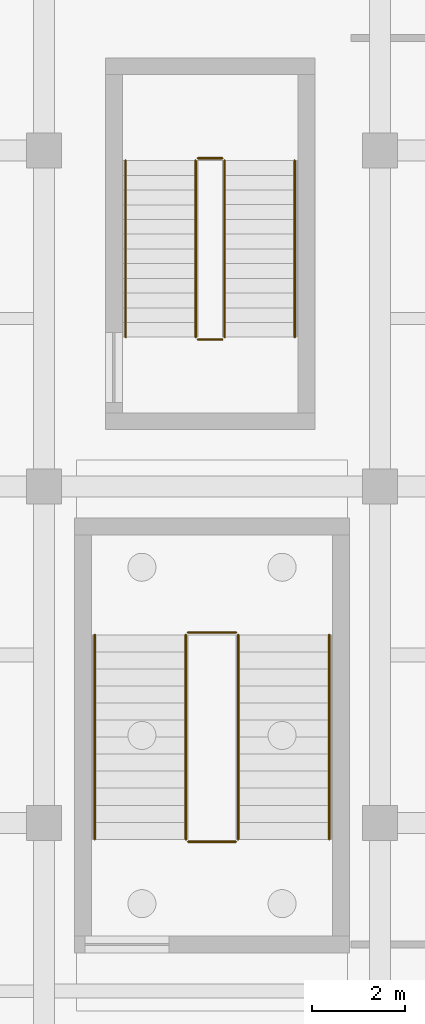
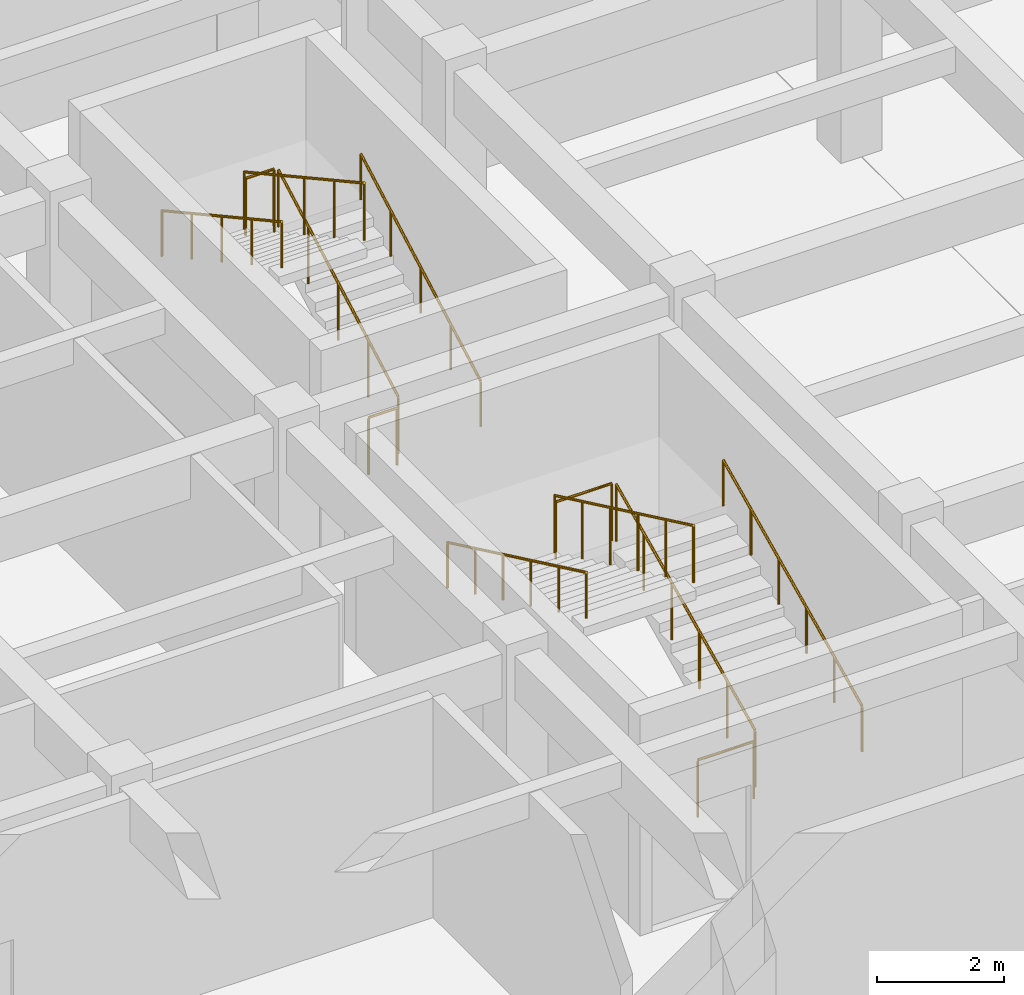
# One storey, part 26 of 28: 12 railings.
"""IFC4 building model written with IfcOpenShell, lengths in metres."""

from ifc_helpers import new_model, si_unit, direction, frame, origin, origin_2d, place, context, subcontext, project, spatial, circle, extrude, material, type_object, element, save


model = new_model("IFC4")

# Units and contexts
model_context = context("Model", 3, precision=1e-05, world=origin(), true_north=direction((0.0, 1.0)))
body_context = subcontext(model_context, "Body", "Model", "MODEL_VIEW")
ifc_project = project(units=[si_unit("LENGTHUNIT", "METRE"), si_unit("AREAUNIT", "SQUARE_METRE"), si_unit("VOLUMEUNIT", "CUBIC_METRE"), si_unit("PLANEANGLEUNIT", "RADIAN"), si_unit("MASSUNIT", "GRAM", prefix="KILO")], contexts=[model_context])

# Site, building, storey
site_placement = place(None, origin())
site = spatial("IfcSite", under=ifc_project, at=site_placement, CompositionType="ELEMENT")
building_placement = place(site_placement, origin())
building = spatial("IfcBuilding", under=site, at=building_placement, Name="Alvorim Cloister Faculty of Sciences", CompositionType="ELEMENT")
storey_placement = place(building_placement, frame((0.0, 0.0, -4.5)))
storey = spatial("IfcBuildingStorey", under=building, at=storey_placement, Name="B01", CompositionType="ELEMENT", Elevation=-4.5)

# Railings
ifc_material_1 = material(Name="Galvanised Painted Steel", Category="steel")
railing_type_1 = type_object("IfcRailingType", Name="RL-STR-GUARD", PredefinedType="GUARDRAIL", material=ifc_material_1)
railing_1_placement = place(storey_placement, frame((104.669921875, 17.60009765625, 0.173095703125)))
element("IfcRailing", 1, at=railing_1_placement, inside=storey, type_object=railing_type_1, Name="B01 ST-06 stair guard 1", PredefinedType="GUARDRAIL", context=body_context, shape_type="SweptSolid", body=[
    extrude(circle(Radius=0.02392578125, at=origin_2d()), frame((0.0, 0.0, 1.09619140625), z_axis=(0.0, 0.876409457848, 0.481566674713), x_axis=(-1.0, 0.0, 0.0)), (0.0, 0.0, 1.0), 4.312744140625),
    extrude(circle(Radius=0.02099609375, at=origin_2d()), origin(), (0.0, 0.0, 1.0), 1.072021484375),
    extrude(circle(Radius=0.02099609375, at=origin_2d()), frame((0.0, 0.94482421875, 0.519287109375)), (0.0, 0.0, 1.0), 1.072021484375),
    extrude(circle(Radius=0.02099609375, at=origin_2d()), frame((0.0, 1.889892578125, 1.03857421875)), (0.0, 0.0, 1.0), 1.072021484375),
    extrude(circle(Radius=0.02099609375, at=origin_2d()), frame((0.0, 2.8349609375, 1.5576171875)), (0.0, 0.0, 1.0), 1.072021484375),
    extrude(circle(Radius=0.02099609375, at=origin_2d()), frame((0.0, 3.77978515625, 2.076904296875)), (0.0, 0.0, 1.0), 1.072021484375),
])
railing_2_placement = place(storey_placement, frame((104.6201171875, 21.429931640625, 2.25)))
element("IfcRailing", 2, at=railing_2_placement, inside=storey, type_object=railing_type_1, Name="B01 ST-06 stair guard 2", PredefinedType="GUARDRAIL", context=body_context, shape_type="SweptSolid", body=[
    extrude(circle(Radius=0.02392578125, at=origin_2d()), frame((0.0, 0.0, 1.09619140625), z_axis=(-1.0, 0.0, 0.0), x_axis=(0.0, -1.0, 0.0)), (0.0, 0.0, 1.0), 0.52001953125),
    extrude(circle(Radius=0.02099609375, at=origin_2d()), origin(), (0.0, 0.0, 1.0), 1.072021484375),
    extrude(circle(Radius=0.02099609375, at=origin_2d()), frame((-0.52001953125, 0.0, 0.0)), (0.0, 0.0, 1.0), 1.072021484375),
])
railing_3_placement = place(storey_placement, frame((104.050048828125, 21.3798828125, 2.423095703125)))
element("IfcRailing", 3, at=railing_3_placement, inside=storey, type_object=railing_type_1, Name="B01 ST-06 stair guard 3", PredefinedType="GUARDRAIL", context=body_context, shape_type="SweptSolid", body=[
    extrude(circle(Radius=0.02392578125, at=origin_2d()), frame((0.0, 0.0, 1.09619140625), z_axis=(0.0, -0.876409457848, 0.481566674713), x_axis=(1.0, 0.0, 0.0)), (0.0, 0.0, 1.0), 4.312744140625),
    extrude(circle(Radius=0.02099609375, at=origin_2d()), origin(), (0.0, 0.0, 1.0), 1.072021484375),
    extrude(circle(Radius=0.02099609375, at=origin_2d()), frame((0.0, -0.94482421875, 0.519287109375)), (0.0, 0.0, 1.0), 1.072021484375),
    extrude(circle(Radius=0.02099609375, at=origin_2d()), frame((0.0, -1.889892578125, 1.03857421875)), (0.0, 0.0, 1.0), 1.072021484375),
    extrude(circle(Radius=0.02099609375, at=origin_2d()), frame((0.0, -2.8349609375, 1.5576171875)), (0.0, 0.0, 1.0), 1.072021484375),
    extrude(circle(Radius=0.02099609375, at=origin_2d()), frame((0.0, -3.77978515625, 2.076904296875)), (0.0, 0.0, 1.0), 1.072021484375),
])
railing_4_placement = place(storey_placement, frame((104.6201171875, 17.550048828125, 0.0)))
element("IfcRailing", 4, at=railing_4_placement, inside=storey, type_object=railing_type_1, Name="B01 ST-06 stair guard 4", PredefinedType="GUARDRAIL", context=body_context, shape_type="SweptSolid", body=[
    extrude(circle(Radius=0.02392578125, at=origin_2d()), frame((0.0, 0.0, 1.09619140625), z_axis=(-1.0, 0.0, 0.0), x_axis=(0.0, -1.0, 0.0)), (0.0, 0.0, 1.0), 0.52001953125),
    extrude(circle(Radius=0.02099609375, at=origin_2d()), origin(), (0.0, 0.0, 1.0), 1.072021484375),
    extrude(circle(Radius=0.02099609375, at=origin_2d()), frame((-0.52001953125, 0.0, 0.0)), (0.0, 0.0, 1.0), 1.072021484375),
])
railing_5_placement = place(storey_placement, frame((104.9599609375, 6.85009765625, 0.173095703125)))
element("IfcRailing", 5, at=railing_5_placement, inside=storey, type_object=railing_type_1, Name="B01 ST-12 stair guard 1", PredefinedType="GUARDRAIL", context=body_context, shape_type="SweptSolid", body=[
    extrude(circle(Radius=0.02392578125, at=origin_2d()), frame((0.0, 0.0, 1.09619140625), z_axis=(0.0, 0.903560341894, 0.428460860005), x_axis=(-1.0, 0.0, 0.0)), (0.0, 0.0, 1.0), 4.847412109375),
    extrude(circle(Radius=0.02099609375, at=origin_2d()), origin(), (0.0, 0.0, 1.0), 1.072021484375),
    extrude(circle(Radius=0.02099609375, at=origin_2d()), frame((0.0, 0.8759765625, 0.415283203125)), (0.0, 0.0, 1.0), 1.072021484375),
    extrude(circle(Radius=0.02099609375, at=origin_2d()), frame((0.0, 1.751953125, 0.830810546875)), (0.0, 0.0, 1.0), 1.072021484375),
    extrude(circle(Radius=0.02099609375, at=origin_2d()), frame((0.0, 2.6279296875, 1.24609375)), (0.0, 0.0, 1.0), 1.072021484375),
    extrude(circle(Radius=0.02099609375, at=origin_2d()), frame((0.0, 3.50390625, 1.66162109375)), (0.0, 0.0, 1.0), 1.072021484375),
    extrude(circle(Radius=0.02099609375, at=origin_2d()), frame((0.0, 4.3798828125, 2.076904296875)), (0.0, 0.0, 1.0), 1.072021484375),
])
railing_6_placement = place(storey_placement, frame((104.909912109375, 11.280029296875, 2.25)))
element("IfcRailing", 6, at=railing_6_placement, inside=storey, type_object=railing_type_1, Name="B01 ST-12 stair guard 2", PredefinedType="GUARDRAIL", context=body_context, shape_type="SweptSolid", body=[
    extrude(circle(Radius=0.02392578125, at=origin_2d()), frame((0.0, 0.0, 1.09619140625), z_axis=(-1.0, 0.0, 0.0), x_axis=(0.0, -1.0, 0.0)), (0.0, 0.0, 1.0), 1.02001953125),
    extrude(circle(Radius=0.02099609375, at=origin_2d()), origin(), (0.0, 0.0, 1.0), 1.072021484375),
    extrude(circle(Radius=0.02099609375, at=origin_2d()), frame((-1.02001953125, 0.0, 0.0)), (0.0, 0.0, 1.0), 1.072021484375),
])
railing_7_placement = place(storey_placement, frame((103.840087890625, 11.22998046875, 2.423095703125)))
element("IfcRailing", 7, at=railing_7_placement, inside=storey, type_object=railing_type_1, Name="B01 ST-12 stair guard 3", PredefinedType="GUARDRAIL", context=body_context, shape_type="SweptSolid", body=[
    extrude(circle(Radius=0.02392578125, at=origin_2d()), frame((0.0, 0.0, 1.09619140625), z_axis=(0.0, -0.903560341894, 0.428460860005), x_axis=(1.0, 0.0, 0.0)), (0.0, 0.0, 1.0), 4.847412109375),
    extrude(circle(Radius=0.02099609375, at=origin_2d()), origin(), (0.0, 0.0, 1.0), 1.072021484375),
    extrude(circle(Radius=0.02099609375, at=origin_2d()), frame((0.0, -0.8759765625, 0.415283203125)), (0.0, 0.0, 1.0), 1.072021484375),
    extrude(circle(Radius=0.02099609375, at=origin_2d()), frame((0.0, -1.751953125, 0.830810546875)), (0.0, 0.0, 1.0), 1.072021484375),
    extrude(circle(Radius=0.02099609375, at=origin_2d()), frame((0.0, -2.6279296875, 1.24609375)), (0.0, 0.0, 1.0), 1.072021484375),
    extrude(circle(Radius=0.02099609375, at=origin_2d()), frame((0.0, -3.50390625, 1.66162109375)), (0.0, 0.0, 1.0), 1.072021484375),
    extrude(circle(Radius=0.02099609375, at=origin_2d()), frame((0.0, -4.3798828125, 2.076904296875)), (0.0, 0.0, 1.0), 1.072021484375),
])
railing_8_placement = place(storey_placement, frame((104.909912109375, 6.800048828125, 0.0)))
element("IfcRailing", 8, at=railing_8_placement, inside=storey, type_object=railing_type_1, Name="B01 ST-12 stair guard 4", PredefinedType="GUARDRAIL", context=body_context, shape_type="SweptSolid", body=[
    extrude(circle(Radius=0.02392578125, at=origin_2d()), frame((0.0, 0.0, 1.09619140625), z_axis=(-1.0, 0.0, 0.0), x_axis=(0.0, -1.0, 0.0)), (0.0, 0.0, 1.0), 1.02001953125),
    extrude(circle(Radius=0.02099609375, at=origin_2d()), origin(), (0.0, 0.0, 1.0), 1.072021484375),
    extrude(circle(Radius=0.02099609375, at=origin_2d()), frame((-1.02001953125, 0.0, 0.0)), (0.0, 0.0, 1.0), 1.072021484375),
])
ifc_material_2 = material(Name="Brushed Stainless Steel", Category="steel")
railing_type_2 = type_object("IfcRailingType", Name="RL-STR-HAND", PredefinedType="HANDRAIL", material=ifc_material_2)
railing_9_placement = place(storey_placement, frame((106.169921875, 17.60009765625, 0.173095703125)))
element("IfcRailing", 9, at=railing_9_placement, inside=storey, type_object=railing_type_2, Name="B01 ST-06 stair handrail 1", PredefinedType="HANDRAIL", context=body_context, shape_type="SweptSolid", body=[
    extrude(circle(Radius=0.02392578125, at=origin_2d()), frame((0.0, 0.0, 0.8759765625), z_axis=(0.0, 0.876409457848, 0.481566674713), x_axis=(-1.0, 0.0, 0.0)), (0.0, 0.0, 1.0), 4.312744140625),
    extrude(circle(Radius=0.02099609375, at=origin_2d()), origin(), (0.0, 0.0, 1.0), 0.851806640625),
    extrude(circle(Radius=0.02099609375, at=origin_2d()), frame((0.0, 0.94482421875, 0.519287109375)), (0.0, 0.0, 1.0), 0.851806640625),
    extrude(circle(Radius=0.02099609375, at=origin_2d()), frame((0.0, 1.889892578125, 1.03857421875)), (0.0, 0.0, 1.0), 0.851806640625),
    extrude(circle(Radius=0.02099609375, at=origin_2d()), frame((0.0, 2.8349609375, 1.5576171875)), (0.0, 0.0, 1.0), 0.851806640625),
    extrude(circle(Radius=0.02099609375, at=origin_2d()), frame((0.0, 3.77978515625, 2.076904296875)), (0.0, 0.0, 1.0), 0.851806640625),
])
railing_10_placement = place(storey_placement, frame((102.550048828125, 21.3798828125, 2.423095703125)))
element("IfcRailing", 10, at=railing_10_placement, inside=storey, type_object=railing_type_2, Name="B01 ST-06 stair handrail 2", PredefinedType="HANDRAIL", context=body_context, shape_type="SweptSolid", body=[
    extrude(circle(Radius=0.02392578125, at=origin_2d()), frame((0.0, 0.0, 0.8759765625), z_axis=(0.0, -0.876409457848, 0.481566674713), x_axis=(1.0, 0.0, 0.0)), (0.0, 0.0, 1.0), 4.312744140625),
    extrude(circle(Radius=0.02099609375, at=origin_2d()), origin(), (0.0, 0.0, 1.0), 0.851806640625),
    extrude(circle(Radius=0.02099609375, at=origin_2d()), frame((0.0, -0.94482421875, 0.519287109375)), (0.0, 0.0, 1.0), 0.851806640625),
    extrude(circle(Radius=0.02099609375, at=origin_2d()), frame((0.0, -1.889892578125, 1.03857421875)), (0.0, 0.0, 1.0), 0.851806640625),
    extrude(circle(Radius=0.02099609375, at=origin_2d()), frame((0.0, -2.8349609375, 1.5576171875)), (0.0, 0.0, 1.0), 0.851806640625),
    extrude(circle(Radius=0.02099609375, at=origin_2d()), frame((0.0, -3.77978515625, 2.076904296875)), (0.0, 0.0, 1.0), 0.851806640625),
])
railing_11_placement = place(storey_placement, frame((106.909912109375, 6.85009765625, 0.173095703125)))
element("IfcRailing", 11, at=railing_11_placement, inside=storey, type_object=railing_type_2, Name="B01 ST-12 stair handrail 1", PredefinedType="HANDRAIL", context=body_context, shape_type="SweptSolid", body=[
    extrude(circle(Radius=0.02392578125, at=origin_2d()), frame((0.0, 0.0, 0.8759765625), z_axis=(0.0, 0.903560341894, 0.428460860005), x_axis=(-1.0, 0.0, 0.0)), (0.0, 0.0, 1.0), 4.847412109375),
    extrude(circle(Radius=0.02099609375, at=origin_2d()), origin(), (0.0, 0.0, 1.0), 0.851806640625),
    extrude(circle(Radius=0.02099609375, at=origin_2d()), frame((0.0, 0.8759765625, 0.415283203125)), (0.0, 0.0, 1.0), 0.851806640625),
    extrude(circle(Radius=0.02099609375, at=origin_2d()), frame((0.0, 1.751953125, 0.830810546875)), (0.0, 0.0, 1.0), 0.851806640625),
    extrude(circle(Radius=0.02099609375, at=origin_2d()), frame((0.0, 2.6279296875, 1.24609375)), (0.0, 0.0, 1.0), 0.851806640625),
    extrude(circle(Radius=0.02099609375, at=origin_2d()), frame((0.0, 3.50390625, 1.66162109375)), (0.0, 0.0, 1.0), 0.851806640625),
    extrude(circle(Radius=0.02099609375, at=origin_2d()), frame((0.0, 4.3798828125, 2.076904296875)), (0.0, 0.0, 1.0), 0.851806640625),
])
railing_12_placement = place(storey_placement, frame((101.889892578125, 11.22998046875, 2.423095703125)))
element("IfcRailing", 12, at=railing_12_placement, inside=storey, type_object=railing_type_2, Name="B01 ST-12 stair handrail 2", PredefinedType="HANDRAIL", context=body_context, shape_type="SweptSolid", body=[
    extrude(circle(Radius=0.02392578125, at=origin_2d()), frame((0.0, 0.0, 0.8759765625), z_axis=(0.0, -0.903560341894, 0.428460860005), x_axis=(1.0, 0.0, 0.0)), (0.0, 0.0, 1.0), 4.847412109375),
    extrude(circle(Radius=0.02099609375, at=origin_2d()), origin(), (0.0, 0.0, 1.0), 0.851806640625),
    extrude(circle(Radius=0.02099609375, at=origin_2d()), frame((0.0, -0.8759765625, 0.415283203125)), (0.0, 0.0, 1.0), 0.851806640625),
    extrude(circle(Radius=0.02099609375, at=origin_2d()), frame((0.0, -1.751953125, 0.830810546875)), (0.0, 0.0, 1.0), 0.851806640625),
    extrude(circle(Radius=0.02099609375, at=origin_2d()), frame((0.0, -2.6279296875, 1.24609375)), (0.0, 0.0, 1.0), 0.851806640625),
    extrude(circle(Radius=0.02099609375, at=origin_2d()), frame((0.0, -3.50390625, 1.66162109375)), (0.0, 0.0, 1.0), 0.851806640625),
    extrude(circle(Radius=0.02099609375, at=origin_2d()), frame((0.0, -4.3798828125, 2.076904296875)), (0.0, 0.0, 1.0), 0.851806640625),
])

save(model, "model.ifc")
